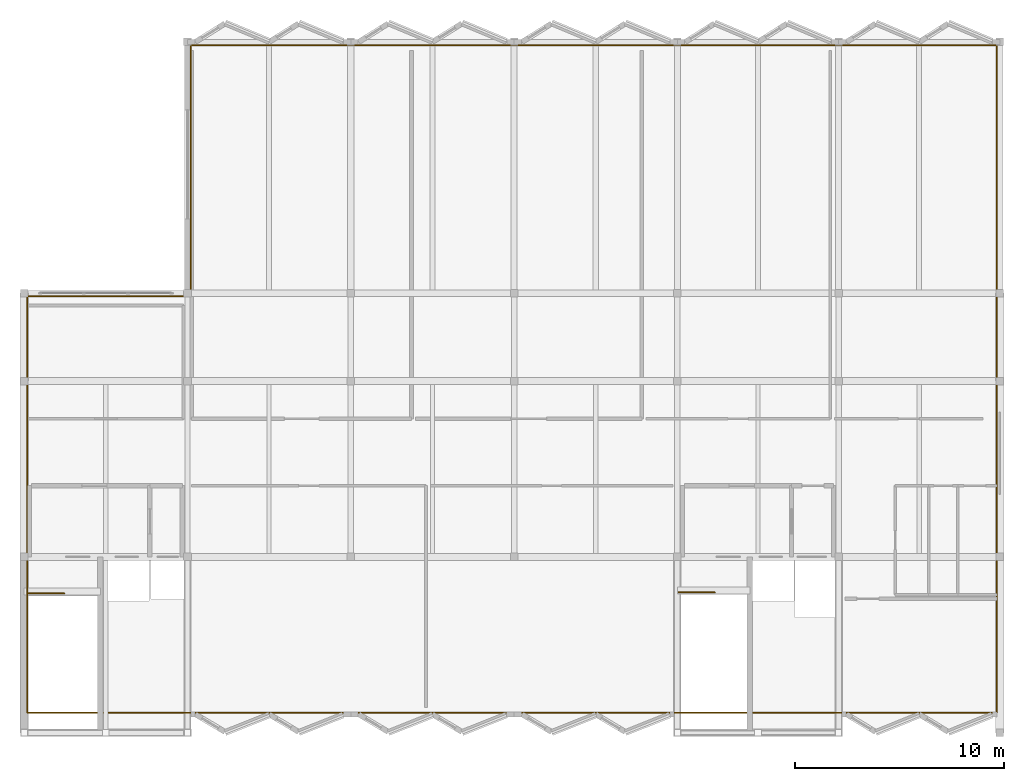
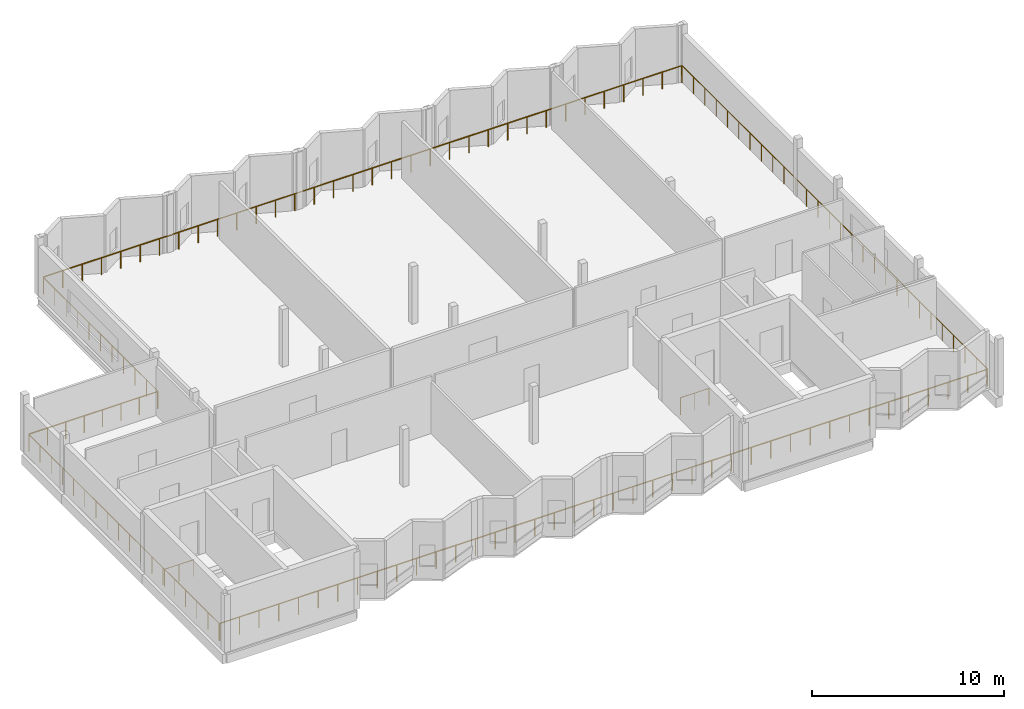
# One storey, part 8 of 8: 8 railings.
"""IFC4 building model written with IfcOpenShell, lengths in metres."""

from ifc_helpers import new_model, si_unit, direction, frame, origin, origin_2d, place, context, subcontext, project, spatial, circle, extrude, material, type_object, element, save


model = new_model("IFC4")

# Units and contexts
model_context = context("Model", 3, precision=1e-05, world=origin(), true_north=direction((0.0, 1.0)))
body_context = subcontext(model_context, "Body", "Model", "MODEL_VIEW")
ifc_project = project(units=[si_unit("LENGTHUNIT", "METRE"), si_unit("AREAUNIT", "SQUARE_METRE"), si_unit("VOLUMEUNIT", "CUBIC_METRE"), si_unit("PLANEANGLEUNIT", "RADIAN"), si_unit("MASSUNIT", "GRAM", prefix="KILO")], contexts=[model_context])

# Site, building, storey
site_placement = place(None, origin())
site = spatial("IfcSite", under=ifc_project, at=site_placement, CompositionType="ELEMENT")
building_placement = place(site_placement, origin())
building = spatial("IfcBuilding", under=site, at=building_placement, Name="Vharandega Faculty of Natural Sciences", CompositionType="ELEMENT")
storey_placement = place(building_placement, frame((0.0, 0.0, 43.199951171875)))
storey = spatial("IfcBuildingStorey", under=building, at=storey_placement, Name="L11", CompositionType="ELEMENT", Elevation=43.199951171875)

# Railings
ifc_material_1 = material(Name="Painted steel stair guardrail", Category="steel")
railing_type_1 = type_object("IfcRailingType", Name="Stairwell Steel Guardrail 1100", PredefinedType="GUARDRAIL", material=ifc_material_1)
railing_1_placement = place(storey_placement, frame((114.93994140625, 70.659912109375, 0.0)))
element("IfcRailing", 1, at=railing_1_placement, inside=storey, type_object=railing_type_1, Name="L11 ST1 top well guard 1", PredefinedType="GUARDRAIL", context=body_context, shape_type="SweptSolid", body=[
    extrude(circle(Radius=0.02392578125, at=origin_2d()), frame((0.0, 0.0, 1.076171875), z_axis=(1.0, 0.0, 0.0), x_axis=(0.0, 1.0, 0.0)), (0.0, 0.0, 1.0), 1.77001953125),
    extrude(circle(Radius=0.02099609375, at=origin_2d()), origin(), (0.0, 0.0, 1.0), 1.052001953125),
    extrude(circle(Radius=0.02099609375, at=origin_2d()), frame((0.885009765625, 0.0, 0.0)), (0.0, 0.0, 1.0), 1.052001953125),
    extrude(circle(Radius=0.02099609375, at=origin_2d()), frame((1.77001953125, 0.0, 0.0)), (0.0, 0.0, 1.0), 1.052001953125),
])
railing_2_placement = place(storey_placement, frame((146.06005859375, 70.7099609375, 0.0)))
element("IfcRailing", 2, at=railing_2_placement, inside=storey, type_object=railing_type_1, Name="L11 ST2 top well guard 1", PredefinedType="GUARDRAIL", context=body_context, shape_type="SweptSolid", body=[
    extrude(circle(Radius=0.02392578125, at=origin_2d()), frame((0.0, 0.0, 1.076171875), z_axis=(1.0, 0.0, 0.0), x_axis=(0.0, 1.0, 0.0)), (0.0, 0.0, 1.0), 1.719970703125),
    extrude(circle(Radius=0.02099609375, at=origin_2d()), origin(), (0.0, 0.0, 1.0), 1.052001953125),
    extrude(circle(Radius=0.02099609375, at=origin_2d()), frame((0.85986328125, 0.0, 0.0)), (0.0, 0.0, 1.0), 1.052001953125),
    extrude(circle(Radius=0.02099609375, at=origin_2d()), frame((1.719970703125, 0.0, 0.0)), (0.0, 0.0, 1.0), 1.052001953125),
])
ifc_material_2 = material(Name="Galvanised painted steel balustrade", Category="steel")
railing_type_2 = type_object("IfcRailingType", Name="Terrace Steel Guardrail 1100", PredefinedType="GUARDRAIL", material=ifc_material_2)
railing_3_placement = place(storey_placement, frame((114.97509765625, 64.949951171875, 0.0)))
element("IfcRailing", 3, at=railing_3_placement, inside=storey, type_object=railing_type_2, Name="Perimeter Sill Guard L11 #1", PredefinedType="GUARDRAIL", context=body_context, shape_type="SweptSolid", body=[
    extrude(circle(Radius=0.02392578125, at=origin_2d()), frame((0.0, 0.0, 1.076171875), z_axis=(1.0, 0.0, 0.0), x_axis=(0.0, 1.0, 0.0)), (0.0, 0.0, 1.0), 46.25),
    extrude(circle(Radius=0.02099609375, at=origin_2d()), origin(), (0.0, 0.0, 1.0), 1.052001953125),
    extrude(circle(Radius=0.02099609375, at=origin_2d()), frame((1.185791015625, 0.0, 0.0)), (0.0, 0.0, 1.0), 1.052001953125),
    extrude(circle(Radius=0.02099609375, at=origin_2d()), frame((2.371826171875, 0.0, 0.0)), (0.0, 0.0, 1.0), 1.052001953125),
    extrude(circle(Radius=0.02099609375, at=origin_2d()), frame((3.5576171875, 0.0, 0.0)), (0.0, 0.0, 1.0), 1.052001953125),
    extrude(circle(Radius=0.02099609375, at=origin_2d()), frame((4.74365234375, 0.0, 0.0)), (0.0, 0.0, 1.0), 1.052001953125),
    extrude(circle(Radius=0.02099609375, at=origin_2d()), frame((5.929443359375, 0.0, 0.0)), (0.0, 0.0, 1.0), 1.052001953125),
    extrude(circle(Radius=0.02099609375, at=origin_2d()), frame((7.115478515625, 0.0, 0.0)), (0.0, 0.0, 1.0), 1.052001953125),
    extrude(circle(Radius=0.02099609375, at=origin_2d()), frame((8.30126953125, 0.0, 0.0)), (0.0, 0.0, 1.0), 1.052001953125),
    extrude(circle(Radius=0.02099609375, at=origin_2d()), frame((9.487060546875, 0.0, 0.0)), (0.0, 0.0, 1.0), 1.052001953125),
    extrude(circle(Radius=0.02099609375, at=origin_2d()), frame((10.673095703125, 0.0, 0.0)), (0.0, 0.0, 1.0), 1.052001953125),
    extrude(circle(Radius=0.02099609375, at=origin_2d()), frame((11.85888671875, 0.0, 0.0)), (0.0, 0.0, 1.0), 1.052001953125),
    extrude(circle(Radius=0.02099609375, at=origin_2d()), frame((13.044921875, 0.0, 0.0)), (0.0, 0.0, 1.0), 1.052001953125),
    extrude(circle(Radius=0.02099609375, at=origin_2d()), frame((14.230712890625, 0.0, 0.0)), (0.0, 0.0, 1.0), 1.052001953125),
    extrude(circle(Radius=0.02099609375, at=origin_2d()), frame((15.416748046875, 0.0, 0.0)), (0.0, 0.0, 1.0), 1.052001953125),
    extrude(circle(Radius=0.02099609375, at=origin_2d()), frame((16.6025390625, 0.0, 0.0)), (0.0, 0.0, 1.0), 1.052001953125),
    extrude(circle(Radius=0.02099609375, at=origin_2d()), frame((17.78857421875, 0.0, 0.0)), (0.0, 0.0, 1.0), 1.052001953125),
    extrude(circle(Radius=0.02099609375, at=origin_2d()), frame((18.974365234375, 0.0, 0.0)), (0.0, 0.0, 1.0), 1.052001953125),
    extrude(circle(Radius=0.02099609375, at=origin_2d()), frame((20.16015625, 0.0, 0.0)), (0.0, 0.0, 1.0), 1.052001953125),
    extrude(circle(Radius=0.02099609375, at=origin_2d()), frame((21.34619140625, 0.0, 0.0)), (0.0, 0.0, 1.0), 1.052001953125),
    extrude(circle(Radius=0.02099609375, at=origin_2d()), frame((22.531982421875, 0.0, 0.0)), (0.0, 0.0, 1.0), 1.052001953125),
    extrude(circle(Radius=0.02099609375, at=origin_2d()), frame((23.718017578125, 0.0, 0.0)), (0.0, 0.0, 1.0), 1.052001953125),
    extrude(circle(Radius=0.02099609375, at=origin_2d()), frame((24.90380859375, 0.0, 0.0)), (0.0, 0.0, 1.0), 1.052001953125),
    extrude(circle(Radius=0.02099609375, at=origin_2d()), frame((26.08984375, 0.0, 0.0)), (0.0, 0.0, 1.0), 1.052001953125),
    extrude(circle(Radius=0.02099609375, at=origin_2d()), frame((27.275634765625, 0.0, 0.0)), (0.0, 0.0, 1.0), 1.052001953125),
    extrude(circle(Radius=0.02099609375, at=origin_2d()), frame((28.46142578125, 0.0, 0.0)), (0.0, 0.0, 1.0), 1.052001953125),
    extrude(circle(Radius=0.02099609375, at=origin_2d()), frame((29.6474609375, 0.0, 0.0)), (0.0, 0.0, 1.0), 1.052001953125),
    extrude(circle(Radius=0.02099609375, at=origin_2d()), frame((30.833251953125, 0.0, 0.0)), (0.0, 0.0, 1.0), 1.052001953125),
    extrude(circle(Radius=0.02099609375, at=origin_2d()), frame((32.019287109375, 0.0, 0.0)), (0.0, 0.0, 1.0), 1.052001953125),
    extrude(circle(Radius=0.02099609375, at=origin_2d()), frame((33.205078125, 0.0, 0.0)), (0.0, 0.0, 1.0), 1.052001953125),
    extrude(circle(Radius=0.02099609375, at=origin_2d()), frame((34.39111328125, 0.0, 0.0)), (0.0, 0.0, 1.0), 1.052001953125),
    extrude(circle(Radius=0.02099609375, at=origin_2d()), frame((35.576904296875, 0.0, 0.0)), (0.0, 0.0, 1.0), 1.052001953125),
    extrude(circle(Radius=0.02099609375, at=origin_2d()), frame((36.762939453125, 0.0, 0.0)), (0.0, 0.0, 1.0), 1.052001953125),
    extrude(circle(Radius=0.02099609375, at=origin_2d()), frame((37.94873046875, 0.0, 0.0)), (0.0, 0.0, 1.0), 1.052001953125),
    extrude(circle(Radius=0.02099609375, at=origin_2d()), frame((39.134521484375, 0.0, 0.0)), (0.0, 0.0, 1.0), 1.052001953125),
    extrude(circle(Radius=0.02099609375, at=origin_2d()), frame((40.320556640625, 0.0, 0.0)), (0.0, 0.0, 1.0), 1.052001953125),
    extrude(circle(Radius=0.02099609375, at=origin_2d()), frame((41.50634765625, 0.0, 0.0)), (0.0, 0.0, 1.0), 1.052001953125),
    extrude(circle(Radius=0.02099609375, at=origin_2d()), frame((42.6923828125, 0.0, 0.0)), (0.0, 0.0, 1.0), 1.052001953125),
    extrude(circle(Radius=0.02099609375, at=origin_2d()), frame((43.878173828125, 0.0, 0.0)), (0.0, 0.0, 1.0), 1.052001953125),
    extrude(circle(Radius=0.02099609375, at=origin_2d()), frame((45.064208984375, 0.0, 0.0)), (0.0, 0.0, 1.0), 1.052001953125),
    extrude(circle(Radius=0.02099609375, at=origin_2d()), frame((46.25, 0.0, 0.0)), (0.0, 0.0, 1.0), 1.052001953125),
])
railing_4_placement = place(storey_placement, frame((161.25, 64.97509765625, 0.0)))
element("IfcRailing", 4, at=railing_4_placement, inside=storey, type_object=railing_type_2, Name="Perimeter Sill Guard L11 #2", PredefinedType="GUARDRAIL", context=body_context, shape_type="SweptSolid", body=[
    extrude(circle(Radius=0.02392578125, at=origin_2d()), frame((0.0, 0.0, 1.076171875), z_axis=(0.0, 1.0, 0.0), x_axis=(-1.0, 0.0, 0.0)), (0.0, 0.0, 1.0), 31.849853515625),
    extrude(circle(Radius=0.02099609375, at=origin_2d()), origin(), (0.0, 0.0, 1.0), 1.052001953125),
    extrude(circle(Radius=0.02099609375, at=origin_2d()), frame((0.0, 1.1796875, 0.0)), (0.0, 0.0, 1.0), 1.052001953125),
    extrude(circle(Radius=0.02099609375, at=origin_2d()), frame((0.0, 2.359130859375, 0.0)), (0.0, 0.0, 1.0), 1.052001953125),
    extrude(circle(Radius=0.02099609375, at=origin_2d()), frame((0.0, 3.538818359375, 0.0)), (0.0, 0.0, 1.0), 1.052001953125),
    extrude(circle(Radius=0.02099609375, at=origin_2d()), frame((0.0, 4.718505859375, 0.0)), (0.0, 0.0, 1.0), 1.052001953125),
    extrude(circle(Radius=0.02099609375, at=origin_2d()), frame((0.0, 5.898193359375, 0.0)), (0.0, 0.0, 1.0), 1.052001953125),
    extrude(circle(Radius=0.02099609375, at=origin_2d()), frame((0.0, 7.07763671875, 0.0)), (0.0, 0.0, 1.0), 1.052001953125),
    extrude(circle(Radius=0.02099609375, at=origin_2d()), frame((0.0, 8.25732421875, 0.0)), (0.0, 0.0, 1.0), 1.052001953125),
    extrude(circle(Radius=0.02099609375, at=origin_2d()), frame((0.0, 9.43701171875, 0.0)), (0.0, 0.0, 1.0), 1.052001953125),
    extrude(circle(Radius=0.02099609375, at=origin_2d()), frame((0.0, 10.61669921875, 0.0)), (0.0, 0.0, 1.0), 1.052001953125),
    extrude(circle(Radius=0.02099609375, at=origin_2d()), frame((0.0, 11.796142578125, 0.0)), (0.0, 0.0, 1.0), 1.052001953125),
    extrude(circle(Radius=0.02099609375, at=origin_2d()), frame((0.0, 12.975830078125, 0.0)), (0.0, 0.0, 1.0), 1.052001953125),
    extrude(circle(Radius=0.02099609375, at=origin_2d()), frame((0.0, 14.155517578125, 0.0)), (0.0, 0.0, 1.0), 1.052001953125),
    extrude(circle(Radius=0.02099609375, at=origin_2d()), frame((0.0, 15.335205078125, 0.0)), (0.0, 0.0, 1.0), 1.052001953125),
    extrude(circle(Radius=0.02099609375, at=origin_2d()), frame((0.0, 16.5146484375, 0.0)), (0.0, 0.0, 1.0), 1.052001953125),
    extrude(circle(Radius=0.02099609375, at=origin_2d()), frame((0.0, 17.6943359375, 0.0)), (0.0, 0.0, 1.0), 1.052001953125),
    extrude(circle(Radius=0.02099609375, at=origin_2d()), frame((0.0, 18.8740234375, 0.0)), (0.0, 0.0, 1.0), 1.052001953125),
    extrude(circle(Radius=0.02099609375, at=origin_2d()), frame((0.0, 20.0537109375, 0.0)), (0.0, 0.0, 1.0), 1.052001953125),
    extrude(circle(Radius=0.02099609375, at=origin_2d()), frame((0.0, 21.233154296875, 0.0)), (0.0, 0.0, 1.0), 1.052001953125),
    extrude(circle(Radius=0.02099609375, at=origin_2d()), frame((0.0, 22.412841796875, 0.0)), (0.0, 0.0, 1.0), 1.052001953125),
    extrude(circle(Radius=0.02099609375, at=origin_2d()), frame((0.0, 23.592529296875, 0.0)), (0.0, 0.0, 1.0), 1.052001953125),
    extrude(circle(Radius=0.02099609375, at=origin_2d()), frame((0.0, 24.772216796875, 0.0)), (0.0, 0.0, 1.0), 1.052001953125),
    extrude(circle(Radius=0.02099609375, at=origin_2d()), frame((0.0, 25.95166015625, 0.0)), (0.0, 0.0, 1.0), 1.052001953125),
    extrude(circle(Radius=0.02099609375, at=origin_2d()), frame((0.0, 27.13134765625, 0.0)), (0.0, 0.0, 1.0), 1.052001953125),
    extrude(circle(Radius=0.02099609375, at=origin_2d()), frame((0.0, 28.31103515625, 0.0)), (0.0, 0.0, 1.0), 1.052001953125),
    extrude(circle(Radius=0.02099609375, at=origin_2d()), frame((0.0, 29.49072265625, 0.0)), (0.0, 0.0, 1.0), 1.052001953125),
    extrude(circle(Radius=0.02099609375, at=origin_2d()), frame((0.0, 30.670166015625, 0.0)), (0.0, 0.0, 1.0), 1.052001953125),
    extrude(circle(Radius=0.02099609375, at=origin_2d()), frame((0.0, 31.849853515625, 0.0)), (0.0, 0.0, 1.0), 1.052001953125),
])
railing_5_placement = place(storey_placement, frame((161.22509765625, 96.85009765625, 0.0)))
element("IfcRailing", 5, at=railing_5_placement, inside=storey, type_object=railing_type_2, Name="Perimeter Sill Guard L11 #3", PredefinedType="GUARDRAIL", context=body_context, shape_type="SweptSolid", body=[
    extrude(circle(Radius=0.02392578125, at=origin_2d()), frame((0.0, 0.0, 1.076171875), z_axis=(-1.0, 0.0, 0.0), x_axis=(0.0, -1.0, 0.0)), (0.0, 0.0, 1.0), 38.4501953125),
    extrude(circle(Radius=0.02099609375, at=origin_2d()), origin(), (0.0, 0.0, 1.0), 1.052001953125),
    extrude(circle(Radius=0.02099609375, at=origin_2d()), frame((-1.1650390625, 0.0, 0.0)), (0.0, 0.0, 1.0), 1.052001953125),
    extrude(circle(Radius=0.02099609375, at=origin_2d()), frame((-2.330322265625, 0.0, 0.0)), (0.0, 0.0, 1.0), 1.052001953125),
    extrude(circle(Radius=0.02099609375, at=origin_2d()), frame((-3.495361328125, 0.0, 0.0)), (0.0, 0.0, 1.0), 1.052001953125),
    extrude(circle(Radius=0.02099609375, at=origin_2d()), frame((-4.66064453125, 0.0, 0.0)), (0.0, 0.0, 1.0), 1.052001953125),
    extrude(circle(Radius=0.02099609375, at=origin_2d()), frame((-5.82568359375, 0.0, 0.0)), (0.0, 0.0, 1.0), 1.052001953125),
    extrude(circle(Radius=0.02099609375, at=origin_2d()), frame((-6.990966796875, 0.0, 0.0)), (0.0, 0.0, 1.0), 1.052001953125),
    extrude(circle(Radius=0.02099609375, at=origin_2d()), frame((-8.156005859375, 0.0, 0.0)), (0.0, 0.0, 1.0), 1.052001953125),
    extrude(circle(Radius=0.02099609375, at=origin_2d()), frame((-9.3212890625, 0.0, 0.0)), (0.0, 0.0, 1.0), 1.052001953125),
    extrude(circle(Radius=0.02099609375, at=origin_2d()), frame((-10.486328125, 0.0, 0.0)), (0.0, 0.0, 1.0), 1.052001953125),
    extrude(circle(Radius=0.02099609375, at=origin_2d()), frame((-11.651611328125, 0.0, 0.0)), (0.0, 0.0, 1.0), 1.052001953125),
    extrude(circle(Radius=0.02099609375, at=origin_2d()), frame((-12.816650390625, 0.0, 0.0)), (0.0, 0.0, 1.0), 1.052001953125),
    extrude(circle(Radius=0.02099609375, at=origin_2d()), frame((-13.98193359375, 0.0, 0.0)), (0.0, 0.0, 1.0), 1.052001953125),
    extrude(circle(Radius=0.02099609375, at=origin_2d()), frame((-15.14697265625, 0.0, 0.0)), (0.0, 0.0, 1.0), 1.052001953125),
    extrude(circle(Radius=0.02099609375, at=origin_2d()), frame((-16.312255859375, 0.0, 0.0)), (0.0, 0.0, 1.0), 1.052001953125),
    extrude(circle(Radius=0.02099609375, at=origin_2d()), frame((-17.477294921875, 0.0, 0.0)), (0.0, 0.0, 1.0), 1.052001953125),
    extrude(circle(Radius=0.02099609375, at=origin_2d()), frame((-18.642578125, 0.0, 0.0)), (0.0, 0.0, 1.0), 1.052001953125),
    extrude(circle(Radius=0.02099609375, at=origin_2d()), frame((-19.8076171875, 0.0, 0.0)), (0.0, 0.0, 1.0), 1.052001953125),
    extrude(circle(Radius=0.02099609375, at=origin_2d()), frame((-20.972900390625, 0.0, 0.0)), (0.0, 0.0, 1.0), 1.052001953125),
    extrude(circle(Radius=0.02099609375, at=origin_2d()), frame((-22.137939453125, 0.0, 0.0)), (0.0, 0.0, 1.0), 1.052001953125),
    extrude(circle(Radius=0.02099609375, at=origin_2d()), frame((-23.30322265625, 0.0, 0.0)), (0.0, 0.0, 1.0), 1.052001953125),
    extrude(circle(Radius=0.02099609375, at=origin_2d()), frame((-24.46826171875, 0.0, 0.0)), (0.0, 0.0, 1.0), 1.052001953125),
    extrude(circle(Radius=0.02099609375, at=origin_2d()), frame((-25.633544921875, 0.0, 0.0)), (0.0, 0.0, 1.0), 1.052001953125),
    extrude(circle(Radius=0.02099609375, at=origin_2d()), frame((-26.798583984375, 0.0, 0.0)), (0.0, 0.0, 1.0), 1.052001953125),
    extrude(circle(Radius=0.02099609375, at=origin_2d()), frame((-27.9638671875, 0.0, 0.0)), (0.0, 0.0, 1.0), 1.052001953125),
    extrude(circle(Radius=0.02099609375, at=origin_2d()), frame((-29.12890625, 0.0, 0.0)), (0.0, 0.0, 1.0), 1.052001953125),
    extrude(circle(Radius=0.02099609375, at=origin_2d()), frame((-30.294189453125, 0.0, 0.0)), (0.0, 0.0, 1.0), 1.052001953125),
    extrude(circle(Radius=0.02099609375, at=origin_2d()), frame((-31.459228515625, 0.0, 0.0)), (0.0, 0.0, 1.0), 1.052001953125),
    extrude(circle(Radius=0.02099609375, at=origin_2d()), frame((-32.62451171875, 0.0, 0.0)), (0.0, 0.0, 1.0), 1.052001953125),
    extrude(circle(Radius=0.02099609375, at=origin_2d()), frame((-33.78955078125, 0.0, 0.0)), (0.0, 0.0, 1.0), 1.052001953125),
    extrude(circle(Radius=0.02099609375, at=origin_2d()), frame((-34.954833984375, 0.0, 0.0)), (0.0, 0.0, 1.0), 1.052001953125),
    extrude(circle(Radius=0.02099609375, at=origin_2d()), frame((-36.119873046875, 0.0, 0.0)), (0.0, 0.0, 1.0), 1.052001953125),
    extrude(circle(Radius=0.02099609375, at=origin_2d()), frame((-37.28515625, 0.0, 0.0)), (0.0, 0.0, 1.0), 1.052001953125),
    extrude(circle(Radius=0.02099609375, at=origin_2d()), frame((-38.4501953125, 0.0, 0.0)), (0.0, 0.0, 1.0), 1.052001953125),
])
railing_6_placement = place(storey_placement, frame((122.75, 96.824951171875, 0.0)))
element("IfcRailing", 6, at=railing_6_placement, inside=storey, type_object=railing_type_2, Name="Perimeter Sill Guard L11 #4", PredefinedType="GUARDRAIL", context=body_context, shape_type="SweptSolid", body=[
    extrude(circle(Radius=0.02392578125, at=origin_2d()), frame((0.0, 0.0, 1.076171875), z_axis=(0.0, -1.0, 0.0), x_axis=(1.0, 0.0, 0.0)), (0.0, 0.0, 1.0), 11.949951171875),
    extrude(circle(Radius=0.02099609375, at=origin_2d()), origin(), (0.0, 0.0, 1.0), 1.052001953125),
    extrude(circle(Radius=0.02099609375, at=origin_2d()), frame((0.0, -1.195068359375, 0.0)), (0.0, 0.0, 1.0), 1.052001953125),
    extrude(circle(Radius=0.02099609375, at=origin_2d()), frame((0.0, -2.389892578125, 0.0)), (0.0, 0.0, 1.0), 1.052001953125),
    extrude(circle(Radius=0.02099609375, at=origin_2d()), frame((0.0, -3.5849609375, 0.0)), (0.0, 0.0, 1.0), 1.052001953125),
    extrude(circle(Radius=0.02099609375, at=origin_2d()), frame((0.0, -4.780029296875, 0.0)), (0.0, 0.0, 1.0), 1.052001953125),
    extrude(circle(Radius=0.02099609375, at=origin_2d()), frame((0.0, -5.97509765625, 0.0)), (0.0, 0.0, 1.0), 1.052001953125),
    extrude(circle(Radius=0.02099609375, at=origin_2d()), frame((0.0, -7.169921875, 0.0)), (0.0, 0.0, 1.0), 1.052001953125),
    extrude(circle(Radius=0.02099609375, at=origin_2d()), frame((0.0, -8.364990234375, 0.0)), (0.0, 0.0, 1.0), 1.052001953125),
    extrude(circle(Radius=0.02099609375, at=origin_2d()), frame((0.0, -9.56005859375, 0.0)), (0.0, 0.0, 1.0), 1.052001953125),
    extrude(circle(Radius=0.02099609375, at=origin_2d()), frame((0.0, -10.7548828125, 0.0)), (0.0, 0.0, 1.0), 1.052001953125),
    extrude(circle(Radius=0.02099609375, at=origin_2d()), frame((0.0, -11.949951171875, 0.0)), (0.0, 0.0, 1.0), 1.052001953125),
])
railing_7_placement = place(storey_placement, frame((122.72509765625, 84.85009765625, 0.0)))
element("IfcRailing", 7, at=railing_7_placement, inside=storey, type_object=railing_type_2, Name="Perimeter Sill Guard L11 #5", PredefinedType="GUARDRAIL", context=body_context, shape_type="SweptSolid", body=[
    extrude(circle(Radius=0.02392578125, at=origin_2d()), frame((0.0, 0.0, 1.076171875), z_axis=(-1.0, 0.0, 0.0), x_axis=(0.0, -1.0, 0.0)), (0.0, 0.0, 1.0), 7.75),
    extrude(circle(Radius=0.02099609375, at=origin_2d()), origin(), (0.0, 0.0, 1.0), 1.052001953125),
    extrude(circle(Radius=0.02099609375, at=origin_2d()), frame((-1.107177734375, 0.0, 0.0)), (0.0, 0.0, 1.0), 1.052001953125),
    extrude(circle(Radius=0.02099609375, at=origin_2d()), frame((-2.21435546875, 0.0, 0.0)), (0.0, 0.0, 1.0), 1.052001953125),
    extrude(circle(Radius=0.02099609375, at=origin_2d()), frame((-3.321533203125, 0.0, 0.0)), (0.0, 0.0, 1.0), 1.052001953125),
    extrude(circle(Radius=0.02099609375, at=origin_2d()), frame((-4.428466796875, 0.0, 0.0)), (0.0, 0.0, 1.0), 1.052001953125),
    extrude(circle(Radius=0.02099609375, at=origin_2d()), frame((-5.53564453125, 0.0, 0.0)), (0.0, 0.0, 1.0), 1.052001953125),
    extrude(circle(Radius=0.02099609375, at=origin_2d()), frame((-6.642822265625, 0.0, 0.0)), (0.0, 0.0, 1.0), 1.052001953125),
    extrude(circle(Radius=0.02099609375, at=origin_2d()), frame((-7.75, 0.0, 0.0)), (0.0, 0.0, 1.0), 1.052001953125),
])
railing_8_placement = place(storey_placement, frame((114.949951171875, 84.824951171875, 0.0)))
element("IfcRailing", 8, at=railing_8_placement, inside=storey, type_object=railing_type_2, Name="Perimeter Sill Guard L11 #6", PredefinedType="GUARDRAIL", context=body_context, shape_type="SweptSolid", body=[
    extrude(circle(Radius=0.02392578125, at=origin_2d()), frame((0.0, 0.0, 1.076171875), z_axis=(0.0, -1.0, 0.0), x_axis=(1.0, 0.0, 0.0)), (0.0, 0.0, 1.0), 19.849853515625),
    extrude(circle(Radius=0.02099609375, at=origin_2d()), origin(), (0.0, 0.0, 1.0), 1.052001953125),
    extrude(circle(Radius=0.02099609375, at=origin_2d()), frame((0.0, -1.167724609375, 0.0)), (0.0, 0.0, 1.0), 1.052001953125),
    extrude(circle(Radius=0.02099609375, at=origin_2d()), frame((0.0, -2.335205078125, 0.0)), (0.0, 0.0, 1.0), 1.052001953125),
    extrude(circle(Radius=0.02099609375, at=origin_2d()), frame((0.0, -3.5029296875, 0.0)), (0.0, 0.0, 1.0), 1.052001953125),
    extrude(circle(Radius=0.02099609375, at=origin_2d()), frame((0.0, -4.670654296875, 0.0)), (0.0, 0.0, 1.0), 1.052001953125),
    extrude(circle(Radius=0.02099609375, at=origin_2d()), frame((0.0, -5.838134765625, 0.0)), (0.0, 0.0, 1.0), 1.052001953125),
    extrude(circle(Radius=0.02099609375, at=origin_2d()), frame((0.0, -7.005859375, 0.0)), (0.0, 0.0, 1.0), 1.052001953125),
    extrude(circle(Radius=0.02099609375, at=origin_2d()), frame((0.0, -8.173583984375, 0.0)), (0.0, 0.0, 1.0), 1.052001953125),
    extrude(circle(Radius=0.02099609375, at=origin_2d()), frame((0.0, -9.341064453125, 0.0)), (0.0, 0.0, 1.0), 1.052001953125),
    extrude(circle(Radius=0.02099609375, at=origin_2d()), frame((0.0, -10.5087890625, 0.0)), (0.0, 0.0, 1.0), 1.052001953125),
    extrude(circle(Radius=0.02099609375, at=origin_2d()), frame((0.0, -11.67626953125, 0.0)), (0.0, 0.0, 1.0), 1.052001953125),
    extrude(circle(Radius=0.02099609375, at=origin_2d()), frame((0.0, -12.843994140625, 0.0)), (0.0, 0.0, 1.0), 1.052001953125),
    extrude(circle(Radius=0.02099609375, at=origin_2d()), frame((0.0, -14.01171875, 0.0)), (0.0, 0.0, 1.0), 1.052001953125),
    extrude(circle(Radius=0.02099609375, at=origin_2d()), frame((0.0, -15.17919921875, 0.0)), (0.0, 0.0, 1.0), 1.052001953125),
    extrude(circle(Radius=0.02099609375, at=origin_2d()), frame((0.0, -16.346923828125, 0.0)), (0.0, 0.0, 1.0), 1.052001953125),
    extrude(circle(Radius=0.02099609375, at=origin_2d()), frame((0.0, -17.5146484375, 0.0)), (0.0, 0.0, 1.0), 1.052001953125),
    extrude(circle(Radius=0.02099609375, at=origin_2d()), frame((0.0, -18.68212890625, 0.0)), (0.0, 0.0, 1.0), 1.052001953125),
    extrude(circle(Radius=0.02099609375, at=origin_2d()), frame((0.0, -19.849853515625, 0.0)), (0.0, 0.0, 1.0), 1.052001953125),
])

save(model, "model.ifc")
